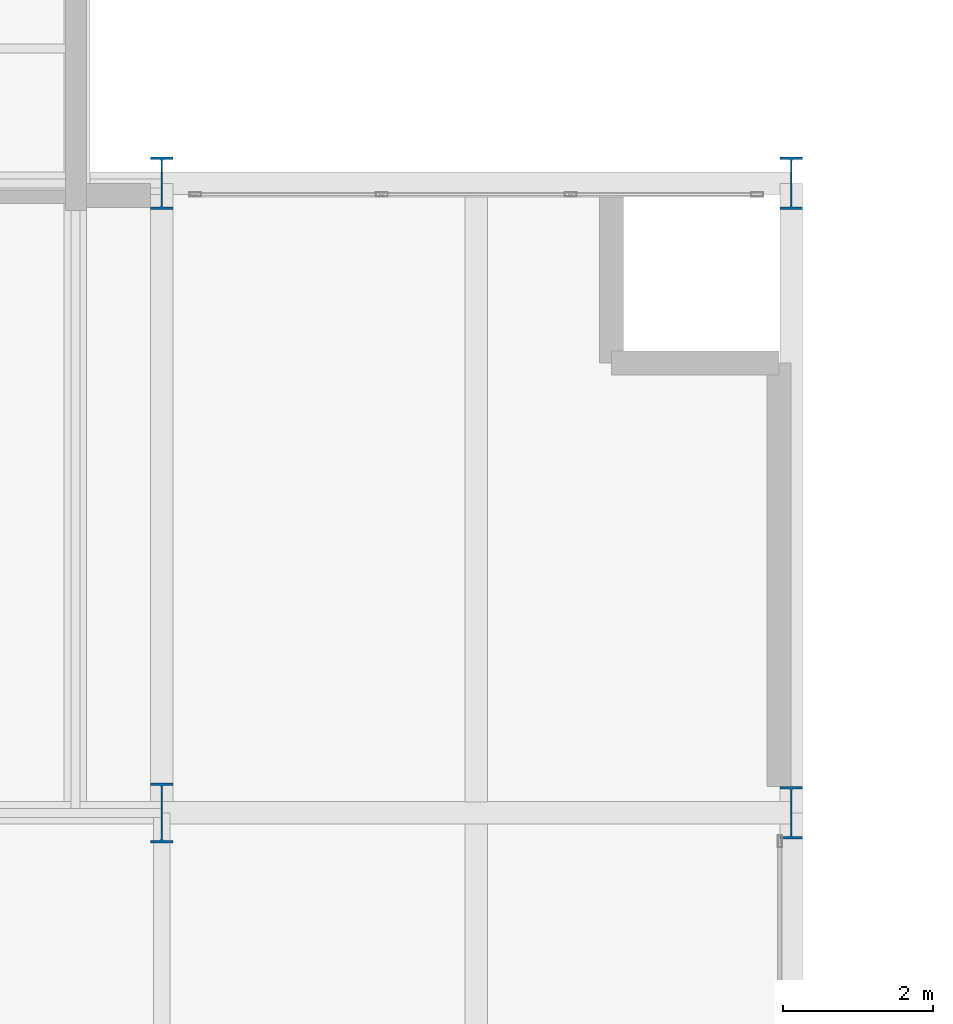
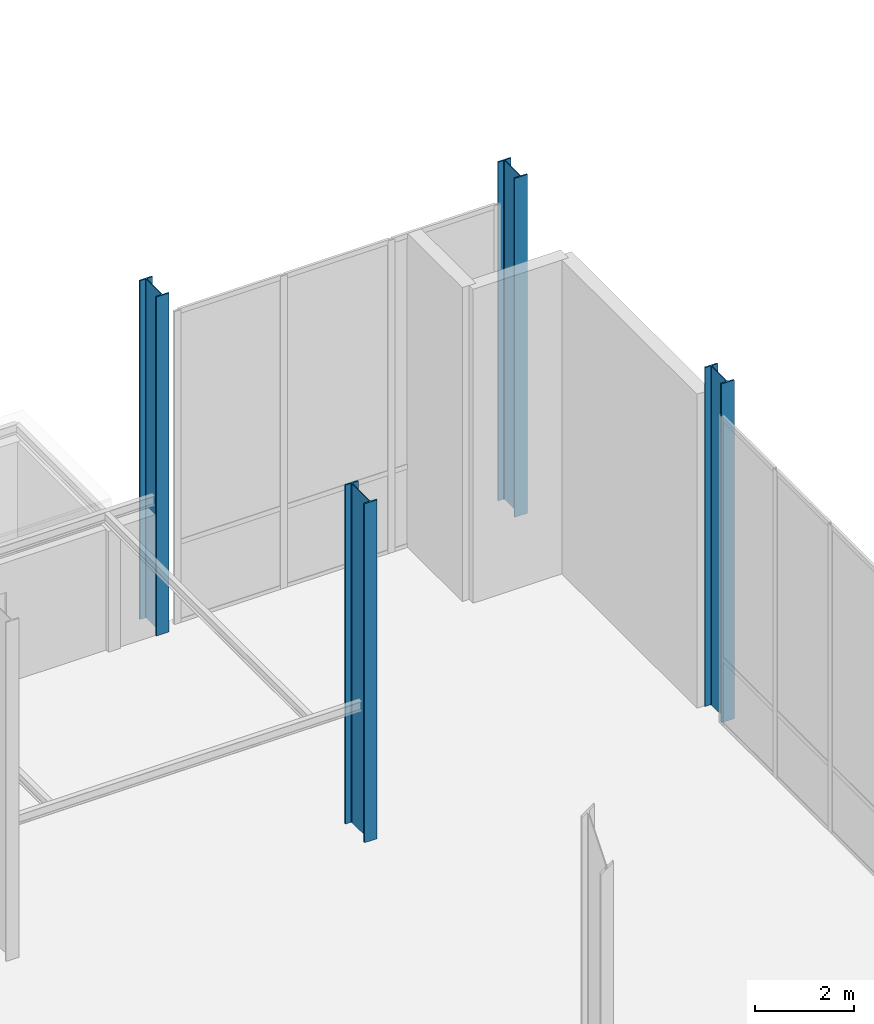
# One storey, part 12 of 131: 4 columns.
"""IFC4 building model written with IfcOpenShell, lengths in metres."""

import ifcopenshell
import ifcopenshell.guid

model = None  # the IFC model being written
_history = None  # IfcOwnerHistory: only IFC2X3 demands one
_inside = {}  # id of a spatial element -> (the spatial element, [elements in it])
_under = {}  # id of a project, library or spatial element -> (it, [spatial elements below it])
_declared = {}  # id of a project -> (the project, [libraries it declares])
_typed = {}  # id of a type object -> (the type object, [elements of that type])
_made_of = {}  # id of a material, layer set ... -> (it, [elements and type objects made of it])


def new_model(schema):
    """Start an empty IFC model of exactly this schema.

    Asked for "IFC4X3", IfcOpenShell would pick the latest addendum, in which some entities
    have other attributes; the version numbers below select the first issue.
    IFC2X3 requires an IfcOwnerHistory on every rooted entity: one is made here for all.
    """
    global model, _history
    if schema == "IFC4X3":
        model = ifcopenshell.file(schema_version=(4, 3, 0, 0))
    else:
        model = ifcopenshell.file(schema=schema)
    _inside.clear()
    _under.clear()
    _declared.clear()
    _typed.clear()
    _made_of.clear()
    _history = None
    if model.schema == "IFC2X3":
        org = make("IfcOrganization", Name="unknown")
        user = make(
            "IfcPersonAndOrganization",
            ThePerson=make("IfcPerson", FamilyName="unknown"),
            TheOrganization=org,
        )
        app = make(
            "IfcApplication",
            ApplicationDeveloper=org,
            Version="unknown",
            ApplicationFullName="unknown",
            ApplicationIdentifier="unknown",
        )
        _history = make(
            "IfcOwnerHistory",
            OwningUser=user,
            OwningApplication=app,
            ChangeAction="ADDED",
            CreationDate=0,
        )
    return model


def make(cls, **values):
    """One entity of the class cls with the attributes given. An attribute that is None is left unset."""
    return model.create_entity(
        cls, **{name: value for name, value in values.items() if value is not None}
    )


def rooted(cls, **values):
    """An entity with a GlobalId (a new one), such as an element, a storey or a relation."""
    return make(cls, GlobalId=ifcopenshell.guid.new(), OwnerHistory=_history, **values)


def si_unit(unit_type, name, prefix=None):
    """IfcSIUnit, for example si_unit("LENGTHUNIT", "METRE", prefix="MILLI")."""
    return make("IfcSIUnit", UnitType=unit_type, Prefix=prefix, Name=name)


def assignment(units):
    """IfcUnitAssignment: the units of a project."""
    return None if units is None else make("IfcUnitAssignment", Units=units)


def point(xyz):
    """IfcCartesianPoint."""
    return None if xyz is None else make("IfcCartesianPoint", Coordinates=xyz)


def direction(xyz):
    """IfcDirection."""
    return None if xyz is None else make("IfcDirection", DirectionRatios=xyz)


def frame(location, z_axis=None, x_axis=None):
    """IfcAxis2Placement3D, a coordinate frame: its origin and axes. An axis left out is left unset."""
    return make(
        "IfcAxis2Placement3D",
        Location=point(location),
        Axis=direction(z_axis),
        RefDirection=direction(x_axis),
    )


def frame_2d(location, x_axis=None):
    """IfcAxis2Placement2D, a coordinate frame in the plane: its origin and x axis."""
    return make(
        "IfcAxis2Placement2D", Location=point(location), RefDirection=direction(x_axis)
    )


def origin():
    """The frame at (0, 0, 0) with its axes left unset."""
    return frame((0.0, 0.0, 0.0))


def origin_2d():
    """The frame at (0, 0) in the plane with its x axis left unset."""
    return frame_2d((0.0, 0.0))


def place(relative_to, where):
    """IfcLocalPlacement: puts the frame where relative to a parent placement (None: the world)."""
    return make(
        "IfcLocalPlacement", PlacementRelTo=relative_to, RelativePlacement=where
    )


def context(
    kind, dimensions, precision=None, world=None, true_north=None, identifier=None
):
    """IfcGeometricRepresentationContext, for example the 3D "Model" context."""
    return make(
        "IfcGeometricRepresentationContext",
        ContextIdentifier=identifier,
        ContextType=kind,
        CoordinateSpaceDimension=dimensions,
        Precision=precision,
        WorldCoordinateSystem=world,
        TrueNorth=true_north,
    )


def subcontext(parent, identifier, kind, view, scale=None):
    """IfcGeometricRepresentationSubContext, for example "Body" below "Model"."""
    return make(
        "IfcGeometricRepresentationSubContext",
        ContextIdentifier=identifier,
        ContextType=kind,
        ParentContext=parent,
        TargetScale=scale,
        TargetView=view,
    )


def project(units=None, contexts=None):
    """IfcProject with its units and contexts."""
    return rooted(
        "IfcProject",
        Name="project",
        RepresentationContexts=contexts,
        UnitsInContext=assignment(units),
    )


def spatial(cls, under=None, at=None, **own):
    """A site, building, storey or space (cls), placed at a placement, below another one or the project."""
    s = rooted(cls, ObjectPlacement=at, **own)
    if under is not None:
        _under.setdefault(under.id(), (under, []))[1].append(s)
    return s


def profile(cls, at=None, kind="AREA", **sizes):
    """A parametric profile (cls). Its sizes go by their IFC names, for example OverallWidth=200.0."""
    return make(cls, ProfileType=kind, Position=at, **sizes)


def i_section(**sizes):
    """IfcIShapeProfileDef."""
    return profile("IfcIShapeProfileDef", **sizes)


def extrude(swept, where, along, depth):
    """IfcExtrudedAreaSolid: the profile swept, set in the frame where, extruded along a direction by depth."""
    return make(
        "IfcExtrudedAreaSolid",
        SweptArea=swept,
        Position=where,
        ExtrudedDirection=direction(along),
        Depth=depth,
    )


def shape(context_of_items, identifier, shape_type, items):
    """IfcShapeRepresentation: the items that make up one representation, for example the "Body"."""
    return make(
        "IfcShapeRepresentation",
        ContextOfItems=context_of_items,
        RepresentationIdentifier=identifier,
        RepresentationType=shape_type,
        Items=items,
    )


def material(Name=None, Category=None):
    """IfcMaterial."""
    return make("IfcMaterial", Name=Name, Category=Category)


def material_profile(
    of_material, cross_section, Name=None, Category=None, Priority=None
):
    """IfcMaterialProfile: a cross section and its material."""
    return make(
        "IfcMaterialProfile",
        Name=Name,
        Material=of_material,
        Profile=cross_section,
        Priority=Priority,
        Category=Category,
    )


def profile_set(profiles, Name=None, composite=None):
    """IfcMaterialProfileSet."""
    return make(
        "IfcMaterialProfileSet",
        Name=Name,
        MaterialProfiles=profiles,
        CompositeProfile=composite,
    )


def made_of(thing, what):
    """Note that an element or type object is made of a material, layer set ...; save() writes the relation."""
    if what is not None:
        _made_of.setdefault(what.id(), (what, []))[1].append(thing)
    return thing


def type_object(cls, material=None, **own):
    """A type object (cls), such as IfcWallType, which elements share."""
    return made_of(rooted(cls, **own), material)


def element(
    cls,
    number,
    at=None,
    inside=None,
    cuts=None,
    type_object=None,
    material=None,
    context=None,
    identifier="Body",
    shape_type=None,
    held_by="IfcProductDefinitionShape",
    body=None,
    shapes=None,
    **own,
):
    """One element of the class cls, such as IfcWall. Its Tag is "e" and its number.

    at: its placement. inside: the storey or other place that contains it. cuts: it is an
    opening in that element (IfcRelVoidsElement). A single representation is given by context,
    identifier, shape_type and body (its items); several are given by shapes. held_by: the class
    of the entity that holds the representations. save() writes the other relations.
    """
    e = rooted(cls, Tag="e%d" % number, ObjectPlacement=at, **own)
    if body is not None:
        shapes = [shape(context, identifier, shape_type, body)]
    if shapes is not None:
        e.Representation = make(held_by, Representations=shapes)
    if inside is not None:
        _inside.setdefault(inside.id(), (inside, []))[1].append(e)
    if cuts is not None:
        rooted(
            "IfcRelVoidsElement", RelatingBuildingElement=cuts, RelatedOpeningElement=e
        )
    if type_object is not None:
        _typed.setdefault(type_object.id(), (type_object, []))[1].append(e)
    return made_of(e, material)


def aggregate(whole, parts):
    """IfcRelAggregates: a whole, such as a stair, and the parts it consists of."""
    return rooted("IfcRelAggregates", RelatingObject=whole, RelatedObjects=parts)


def save(model, path):
    """Write the relations noted so far, then the file.

    IfcRelAggregates (storeys below a building ...), IfcRelContainedInSpatialStructure (elements
    in a storey), IfcRelDefinesByType, IfcRelAssociatesMaterial and IfcRelDeclares: one each for
    every whole, place, type object, material and project.
    """
    for whole, parts in _under.values():
        aggregate(whole, parts)
    for where, things in _inside.values():
        rooted(
            "IfcRelContainedInSpatialStructure",
            RelatedElements=things,
            RelatingStructure=where,
        )
    for kind, things in _typed.values():
        rooted("IfcRelDefinesByType", RelatedObjects=things, RelatingType=kind)
    for what, things in _made_of.values():
        rooted("IfcRelAssociatesMaterial", RelatedObjects=things, RelatingMaterial=what)
    for by, libraries in _declared.values():
        rooted("IfcRelDeclares", RelatingContext=by, RelatedDefinitions=libraries)
    model.write(path)


model = new_model("IFC4")

# Units and contexts
model_context = context("Model", 3, precision=1e-05, world=origin(), true_north=direction((0.0, 1.0)))
body_context = subcontext(model_context, "Body", "Model", "MODEL_VIEW")
ifc_project = project(units=[si_unit("LENGTHUNIT", "METRE"), si_unit("AREAUNIT", "SQUARE_METRE"), si_unit("VOLUMEUNIT", "CUBIC_METRE"), si_unit("PLANEANGLEUNIT", "RADIAN"), si_unit("MASSUNIT", "GRAM", prefix="KILO")], contexts=[model_context])

# Site, building, storey
site_placement = place(None, origin())
site = spatial("IfcSite", under=ifc_project, at=site_placement, CompositionType="ELEMENT")
building_placement = place(site_placement, origin())
building = spatial("IfcBuilding", under=site, at=building_placement, Name="Veltarok Museum of Natural Sciences", CompositionType="ELEMENT")
storey_placement = place(building_placement, origin())
storey = spatial("IfcBuildingStorey", under=building, at=storey_placement, Name="L00", CompositionType="ELEMENT", Elevation=0.0)

# Columns
ifc_material = material(Name="Steel S355J2", Category="steel")
ifc_material_profile_1 = material_profile(ifc_material, i_section(OverallWidth=0.300048828125, OverallDepth=0.699951171875, WebThickness=0.01708984375, FlangeThickness=0.031982421875, FilletRadius=0.027099609375, at=origin_2d()), Name="HEB 700")
ifc_profile_set_1 = profile_set([ifc_material_profile_1], Name="Steel S355J2")
column_type_1 = type_object("IfcColumnType", Name="Perimeter Steel Column HEB 700", PredefinedType="COLUMN", material=ifc_profile_set_1)
for number, where, z_axis, x_axis, name in (
    (1, (73.60009765625, 109.199951171875, 0.0), (0.0, 0.0, 1.0), (1.0, 0.0, 0.0), "Column COL-EXT01 L00 9/M"),
    (2, (82.0, 100.800048828125, 0.0), (0.0, 0.0, 1.0), (1.0, 0.0, 0.0), "Column COL-EXT01 L00 10/L"),
    (3, (82.0, 109.199951171875, 0.0), (0.0, 0.0, 1.0), (1.0, 0.0, 0.0), "Column COL-EXT01 L00 10/M"),
):
    element("IfcColumn", number, at=place(storey_placement, frame(where, z_axis=z_axis, x_axis=x_axis)), inside=storey, type_object=column_type_1, Name=name, PredefinedType="COLUMN", context=body_context, shape_type="SweptSolid", body=[
        extrude(i_section(OverallWidth=0.300048828125, OverallDepth=0.699951171875, WebThickness=0.01708984375, FlangeThickness=0.031982421875, FilletRadius=0.027099609375, at=origin_2d()), origin(), (0.0, 0.0, 1.0), 8.39990234375),
    ])
ifc_material_profile_2 = material_profile(ifc_material, i_section(OverallWidth=0.300048828125, OverallDepth=0.800048828125, WebThickness=0.017578125, FlangeThickness=0.032958984375, FilletRadius=0.030029296875, at=origin_2d()), Name="HEB 800")
ifc_profile_set_2 = profile_set([ifc_material_profile_2], Name="Steel S355J2")
column_type_2 = type_object("IfcColumnType", Name="Primary Frame Column HEB 800", PredefinedType="COLUMN", material=ifc_profile_set_2)
column_placement = place(storey_placement, frame((73.60009765625, 100.800048828125, 0.0), z_axis=(0.0, 0.0, 1.0), x_axis=(1.0, 0.0, 0.0)))
element("IfcColumn", 4, at=column_placement, inside=storey, type_object=column_type_2, Name="Column COL-S02 L00 9/L", PredefinedType="COLUMN", context=body_context, shape_type="SweptSolid", body=[
    extrude(i_section(OverallWidth=0.300048828125, OverallDepth=0.800048828125, WebThickness=0.017578125, FlangeThickness=0.032958984375, FilletRadius=0.030029296875, at=origin_2d()), origin(), (0.0, 0.0, 1.0), 8.39990234375),
])

save(model, "model.ifc")
